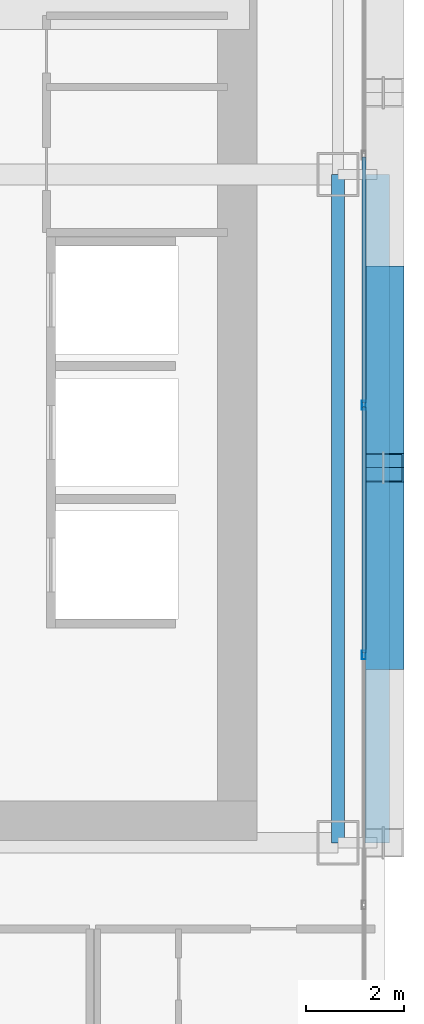
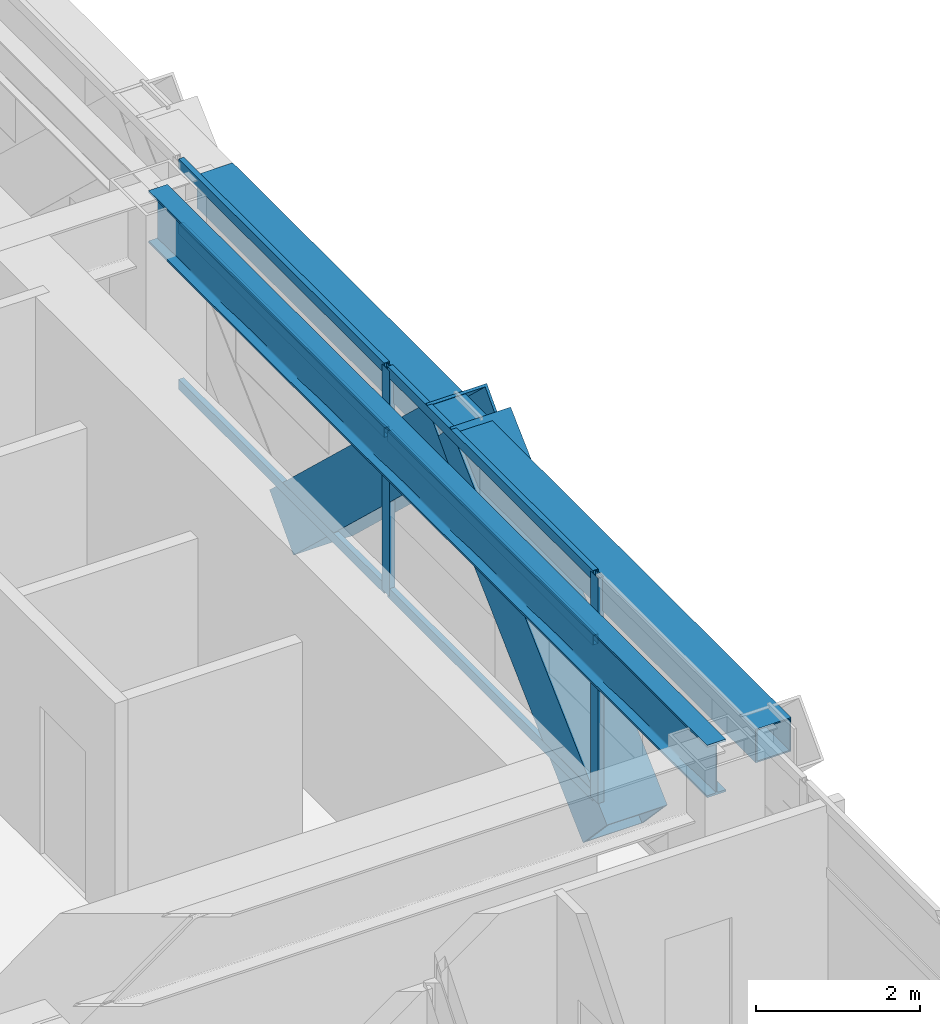
# One storey, part 13 of 38: 10 members, 2 beams, 1 element without a shape of its own.
"""IFC4 building model written with IfcOpenShell, lengths in metres."""

from ifc_helpers import new_model, si_unit, direction, frame, origin, origin_2d, place, context, subcontext, project, spatial, hollow_rectangle, i_section, extrude, source, transform, mapped, material, layer, layer_set, material_profile, profile_set, type_object, element, aggregate, save


model = new_model("IFC4")

# Units and contexts
model_context = context("Model", 3, precision=1e-05, world=origin(), true_north=direction((0.0, 1.0)))
body_context = subcontext(model_context, "Body", "Model", "MODEL_VIEW")
ifc_project = project(units=[si_unit("LENGTHUNIT", "METRE"), si_unit("AREAUNIT", "SQUARE_METRE"), si_unit("VOLUMEUNIT", "CUBIC_METRE"), si_unit("PLANEANGLEUNIT", "RADIAN"), si_unit("MASSUNIT", "GRAM", prefix="KILO")], contexts=[model_context])

# Site, building, storey
site_placement = place(None, origin())
site = spatial("IfcSite", under=ifc_project, at=site_placement, CompositionType="ELEMENT")
building_placement = place(site_placement, origin())
building = spatial("IfcBuilding", under=site, at=building_placement, Name="Ocotamira Hotel", CompositionType="ELEMENT")
storey_placement = place(building_placement, frame((0.0, 0.0, 45.60009765625)))
storey = spatial("IfcBuildingStorey", under=building, at=storey_placement, Name="L10", CompositionType="ELEMENT", Elevation=45.60009765625)

# Beams
ifc_material_1 = material(Name="Steel ASTM A992 Grade 50", Category="steel")
ifc_material_profile_1 = material_profile(ifc_material_1, i_section(OverallWidth=0.26611328125, OverallDepth=0.779052734375, WebThickness=0.0166015625, FlangeThickness=0.030029296875, FilletRadius=0.01806640625, at=origin_2d()), Name="W30X148")
ifc_profile_set_1 = profile_set([ifc_material_profile_1], Name="Steel ASTM A992 Grade 50")
beam_type_1 = type_object("IfcBeamType", Name="BM-GIRD-W30X148", PredefinedType="BEAM", material=ifc_profile_set_1)
shared_shape_1 = source(origin(), body_context, "Body", "SweptSolid", [
    extrude(i_section(OverallWidth=0.26611328125, OverallDepth=0.779052734375, WebThickness=0.0166015625, FlangeThickness=0.030029296875, FilletRadius=0.01806640625, at=origin_2d()), origin(), (0.0, 0.0, 1.0), 13.599853515625),
])
beam_1_placement = place(storey_placement, frame((55.050048828125, 14.550048828125, 2.96044921875), z_axis=(0.0, 1.0, 0.0), x_axis=(-1.0, 0.0, 0.0)))
element("IfcBeam", 1, at=beam_1_placement, inside=storey, type_object=beam_type_1, Name="L10 Beam X55.05 Y14.55-28.15", PredefinedType="BEAM", context=body_context, shape_type="MappedRepresentation", body=[
    mapped(shared_shape_1, transform((0.0, 0.0, 0.0), scale=1.0)),
])
ifc_material_2 = material(Name="Steel ASTM A500 Grade C", Category="steel")
ifc_material_profile_2 = material_profile(ifc_material_2, hollow_rectangle(XDim=0.5, YDim=0.5, WallThickness=0.02001953125, at=origin_2d()), Name="HSS500X500X20")
ifc_profile_set_2 = profile_set([ifc_material_profile_2], Name="Steel ASTM A500 Grade C")
beam_type_2 = type_object("IfcBeamType", Name="BM-SPAN-HSS500", PredefinedType="USERDEFINED", material=ifc_profile_set_2)
shared_shape_2 = source(origin(), body_context, "Body", "SweptSolid", [
    extrude(hollow_rectangle(XDim=0.5, YDim=0.5, WallThickness=0.02001953125, at=origin_2d()), origin(), (0.0, 0.0, 1.0), 13.599853515625),
])
beam_2_placement = place(storey_placement, frame((55.85009765625, 14.550048828125, 3.099853515625), z_axis=(0.0, 1.0, 0.0), x_axis=(-1.0, 0.0, 0.0)))
element("IfcBeam", 2, at=beam_2_placement, inside=storey, type_object=beam_type_2, Name="L10 Edge Spandrel E Y14.55-28.15", ObjectType="SPANDREL", PredefinedType="USERDEFINED", context=body_context, shape_type="MappedRepresentation", body=[
    mapped(shared_shape_2, transform((0.0, 0.0, 0.0), scale=1.0)),
])

# Members
ifc_material_3 = material(Name="Pale-metal coated steel ASTM A913 Grade 65", Category="steel")
ifc_material_profile_3 = material_profile(ifc_material_3, hollow_rectangle(XDim=0.85009765625, YDim=0.85009765625, WallThickness=0.035888671875, at=origin_2d()), Name="BOX850X850X36")
ifc_profile_set_3 = profile_set([ifc_material_profile_3], Name="Pale-metal coated steel ASTM A913 Grade 65")
member_type_1 = type_object("IfcMemberType", Name="MEM-EXO-BOX850", PredefinedType="BRACE", material=ifc_profile_set_3)
shared_shape_3 = source(origin(), body_context, "Body", "SweptSolid", [
    extrude(hollow_rectangle(XDim=0.85009765625, YDim=0.85009765625, WallThickness=0.035888671875, at=origin_2d()), origin(), (0.0, 0.0, 1.0), 5.24658203125),
])
for number, where, z_axis, x_axis, name in (
    (3, (55.969970703125, 18.36669921875, -0.5), (0.0, 0.72746596067, 0.686143772154), (-1.0, 0.0, 0.0), "L10 Exoskeleton Diagrid E0.2"),
    (4, (55.969970703125, 26.0, -0.5), (0.0, -0.72746596067, 0.686143772154), (1.0, 0.0, 0.0), "L10 Exoskeleton Diagrid E1.1"),
):
    element("IfcMember", number, at=place(storey_placement, frame(where, z_axis=z_axis, x_axis=x_axis)), inside=storey, type_object=member_type_1, Name=name, PredefinedType="BRACE", context=body_context, shape_type="MappedRepresentation", body=[
        mapped(shared_shape_3, transform((0.0, 0.0, 0.0), scale=1.0)),
    ])

# Curtain wall, members
ifc_material_4 = material(Name="Anodised pale-metal aluminium and solar glass", Category="aluminium")
ifc_layer = layer(ifc_material_4, 0.179931640625)
ifc_layer_set = layer_set([ifc_layer], Name="Anodised pale-metal aluminium and solar glass")
curtain_wall_type = type_object("IfcCurtainWallType", Name="CW-SYS2-Z1", PredefinedType="NOTDEFINED", material=ifc_layer_set)
curtain_wall_placement = place(storey_placement, origin())
curtain_wall = element("IfcCurtainWall", 5, at=curtain_wall_placement, inside=storey, type_object=curtain_wall_type, Name="L10 Curtain Wall CW-2 CW-L10-E", PredefinedType="NOTDEFINED")
ifc_material_5 = material(Name="Anodised pale-metal aluminium 6063-T6", Category="aluminium")
ifc_material_profile_4 = material_profile(ifc_material_5, hollow_rectangle(XDim=0.080078125, YDim=0.179931640625, WallThickness=0.006103515625, at=origin_2d()), Name="HSS180X80X6")
ifc_profile_set_4 = profile_set([ifc_material_profile_4], Name="Anodised pale-metal aluminium 6063-T6")
member_type_2 = type_object("IfcMemberType", Name="CWM-180X75", PredefinedType="MULLION", material=ifc_profile_set_4)
shared_shape_4 = source(origin(), body_context, "Body", "SweptSolid", [
    extrude(hollow_rectangle(XDim=0.080078125, YDim=0.179931640625, WallThickness=0.006103515625, at=origin_2d()), origin(), (0.0, 0.0, 1.0), 3.349853515625),
])
member_1_placement = place(storey_placement, frame((55.580078125, 18.371337890625, 0.0), z_axis=(0.0, 0.0, 1.0), x_axis=(-1.0, 0.0, 0.0)))
member_1 = element("IfcMember", 6, at=member_1_placement, type_object=member_type_2, Name="CW-2 mullion 3", PredefinedType="MULLION", context=body_context, shape_type="MappedRepresentation", body=[
    mapped(shared_shape_4, transform((0.0, 0.0, 0.0), scale=1.0)),
])
member_2_placement = place(storey_placement, frame((55.580078125, 23.45703125, 0.0), z_axis=(0.0, 0.0, 1.0), x_axis=(-1.0, 0.0, 0.0)))
member_2 = element("IfcMember", 7, at=member_2_placement, type_object=member_type_2, Name="CW-2 mullion 4", PredefinedType="MULLION", context=body_context, shape_type="MappedRepresentation", body=[
    mapped(shared_shape_4, transform((0.0, 0.0, 0.0), scale=1.0)),
])
ifc_material_profile_5 = material_profile(ifc_material_5, hollow_rectangle(XDim=0.074951171875, YDim=0.14990234375, WallThickness=0.006103515625, at=origin_2d()), Name="HSS150X75X6")
ifc_profile_set_5 = profile_set([ifc_material_profile_5], Name="Anodised pale-metal aluminium 6063-T6")
member_type_3 = type_object("IfcMemberType", Name="CWT-150X75", PredefinedType="USERDEFINED", material=ifc_profile_set_5)
shared_shape_5 = source(origin(), body_context, "Body", "SweptSolid", [
    extrude(hollow_rectangle(XDim=0.074951171875, YDim=0.14990234375, WallThickness=0.006103515625, at=origin_2d()), origin(), (0.0, 0.0, 1.0), 5.005859375),
])
member_3_placement = place(storey_placement, frame((55.580078125, 18.411376953125, 0.037353515625), z_axis=(0.0, 1.0, 0.0), x_axis=(-1.0, 0.0, 0.0)))
member_3 = element("IfcMember", 8, at=member_3_placement, type_object=member_type_3, Name="CW-2 transom 3.1", ObjectType="TRANSOM", PredefinedType="USERDEFINED", context=body_context, shape_type="MappedRepresentation", body=[
    mapped(shared_shape_5, transform((0.0, 0.0, 0.0), scale=1.0)),
])
member_4_placement = place(storey_placement, frame((55.580078125, 18.411376953125, 2.349853515625), z_axis=(0.0, 1.0, 0.0), x_axis=(-1.0, 0.0, 0.0)))
member_4 = element("IfcMember", 9, at=member_4_placement, type_object=member_type_3, Name="CW-2 transom 3.2", ObjectType="TRANSOM", PredefinedType="USERDEFINED", context=body_context, shape_type="MappedRepresentation", body=[
    mapped(shared_shape_5, transform((0.0, 0.0, 0.0), scale=1.0)),
])
member_5_placement = place(storey_placement, frame((55.580078125, 18.411376953125, 3.3125), z_axis=(0.0, 1.0, 0.0), x_axis=(-1.0, 0.0, 0.0)))
member_5 = element("IfcMember", 10, at=member_5_placement, type_object=member_type_3, Name="CW-2 transom 3.3", ObjectType="TRANSOM", PredefinedType="USERDEFINED", context=body_context, shape_type="MappedRepresentation", body=[
    mapped(shared_shape_5, transform((0.0, 0.0, 0.0), scale=1.0)),
])
member_6_placement = place(storey_placement, frame((55.580078125, 23.4970703125, 0.037353515625), z_axis=(0.0, 1.0, 0.0), x_axis=(-1.0, 0.0, 0.0)))
member_6 = element("IfcMember", 11, at=member_6_placement, type_object=member_type_3, Name="CW-2 transom 4.1", ObjectType="TRANSOM", PredefinedType="USERDEFINED", context=body_context, shape_type="MappedRepresentation", body=[
    mapped(shared_shape_5, transform((0.0, 0.0, 0.0), scale=1.0)),
])
member_7_placement = place(storey_placement, frame((55.580078125, 23.4970703125, 2.349853515625), z_axis=(0.0, 1.0, 0.0), x_axis=(-1.0, 0.0, 0.0)))
member_7 = element("IfcMember", 12, at=member_7_placement, type_object=member_type_3, Name="CW-2 transom 4.2", ObjectType="TRANSOM", PredefinedType="USERDEFINED", context=body_context, shape_type="MappedRepresentation", body=[
    mapped(shared_shape_5, transform((0.0, 0.0, 0.0), scale=1.0)),
])
member_8_placement = place(storey_placement, frame((55.580078125, 23.4970703125, 3.3125), z_axis=(0.0, 1.0, 0.0), x_axis=(-1.0, 0.0, 0.0)))
member_8 = element("IfcMember", 13, at=member_8_placement, type_object=member_type_3, Name="CW-2 transom 4.3", ObjectType="TRANSOM", PredefinedType="USERDEFINED", context=body_context, shape_type="MappedRepresentation", body=[
    mapped(shared_shape_5, transform((0.0, 0.0, 0.0), scale=1.0)),
])
aggregate(curtain_wall, [member_1, member_2, member_3, member_4, member_5, member_6, member_7, member_8])

save(model, "model.ifc")
